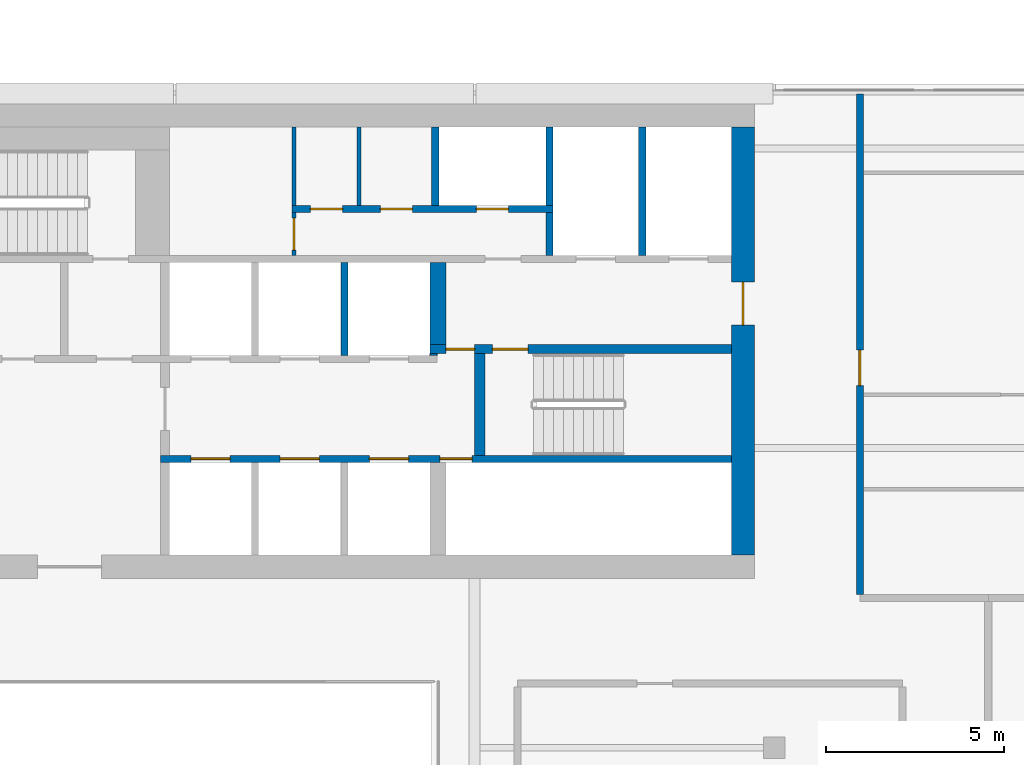
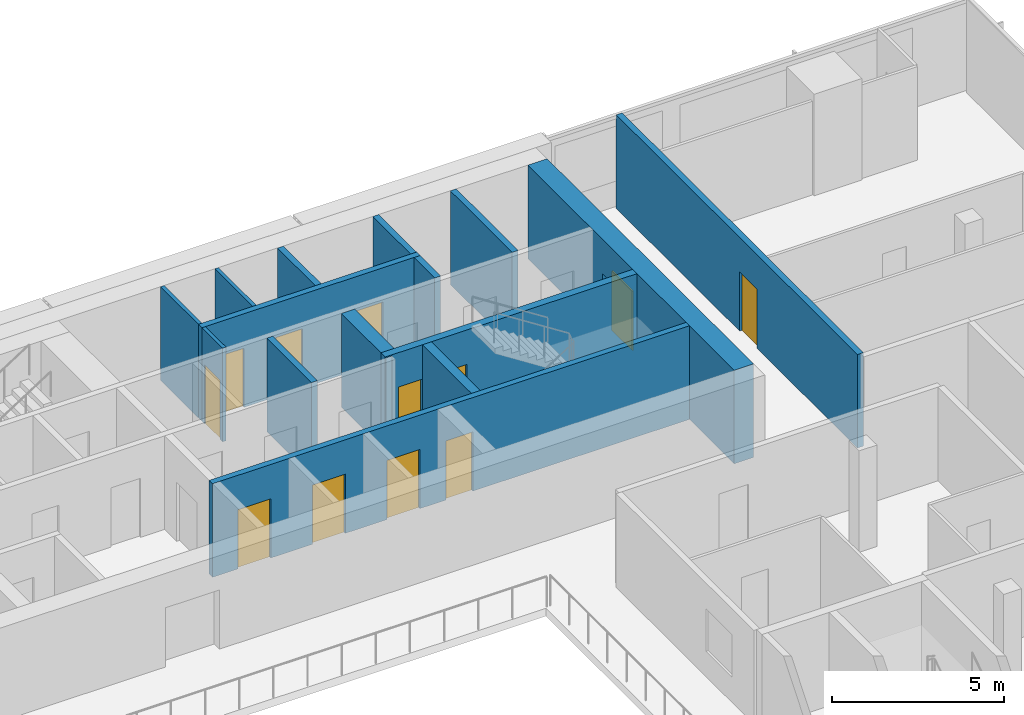
# One storey, part 22 of 27: 16 walls, 12 doors, 12 openings.
"""IFC4 building model written with IfcOpenShell, lengths in metres."""

from ifc_helpers import new_model, si_unit, direction, frame, frame_2d, origin, place, context, subcontext, project, spatial, rectangle, extrude, material, layer, layer_set, type_object, element, fill, save


model = new_model("IFC4")

# Units and contexts
model_context = context("Model", 3, precision=1e-05, world=origin(), true_north=direction((0.0, 1.0)))
body_context = subcontext(model_context, "Body", "Model", "MODEL_VIEW")
ifc_project = project(units=[si_unit("LENGTHUNIT", "METRE"), si_unit("AREAUNIT", "SQUARE_METRE"), si_unit("VOLUMEUNIT", "CUBIC_METRE"), si_unit("PLANEANGLEUNIT", "RADIAN"), si_unit("MASSUNIT", "GRAM", prefix="KILO")], contexts=[model_context])

# Site, building, storey
site_placement = place(None, origin())
site = spatial("IfcSite", under=ifc_project, at=site_placement, CompositionType="ELEMENT")
building_placement = place(site_placement, origin())
building = spatial("IfcBuilding", under=site, at=building_placement, Name="Saffron Gate Tower", CompositionType="ELEMENT")
storey_placement = place(building_placement, frame((0.0, 0.0, 234.300048828125)))
storey = spatial("IfcBuildingStorey", under=building, at=storey_placement, Name="L57", CompositionType="ELEMENT", Elevation=234.300048828125)

# Wall, openings, doors
ifc_material_1 = material(Name="Concrete C60", Category="concrete")
ifc_layer_1 = layer(ifc_material_1, 0.25)
ifc_layer_set_1 = layer_set([ifc_layer_1], Name="CW14 RC core wall 250 C60")
wall_type_1 = type_object("IfcWallType", Name="CW14 RC core wall 250 C60", PredefinedType="SOLIDWALL", material=ifc_layer_set_1)
wall_1_placement = place(storey_placement, frame((98.949951171875, 68.175048828125, 0.0), z_axis=(0.0, 0.0, 1.0), x_axis=(1.0, 0.0, 0.0)))
wall_1 = element("IfcWall", 1, at=wall_1_placement, inside=storey, type_object=wall_type_1, Name="Wall CW14-L57-29", PredefinedType="SOLIDWALL", context=body_context, shape_type="SweptSolid", body=[
    extrude(rectangle(XDim=8.449951171875, YDim=0.25, at=frame_2d((4.22509765625, 0.0))), origin(), (0.0, 0.0, 1.0), 3.320068359375),
])
opening_1_placement = place(wall_1_placement, frame((0.449951171875, 0.0, 0.0)))
opening_1 = element("IfcOpeningElement", 2, at=opening_1_placement, cuts=wall_1, Name="Opening CR-05", PredefinedType="OPENING", context=body_context, shape_type="SweptSolid", body=[
    extrude(rectangle(XDim=0.800048828125, YDim=2.10009765625, at=frame_2d((0.39990234375, 1.050048828125))), frame((0.0, 0.135009765625, 0.0), z_axis=(0.0, -1.0, 0.0), x_axis=(1.0, 0.0, 0.0)), (0.0, 0.0, 1.0), 0.27001953125),
])
opening_2_placement = place(wall_1_placement, frame((1.75, 0.0, 0.0)))
opening_2 = element("IfcOpeningElement", 3, at=opening_2_placement, cuts=wall_1, Name="Opening CR-16", PredefinedType="OPENING", context=body_context, shape_type="SweptSolid", body=[
    extrude(rectangle(XDim=1.0, YDim=2.10009765625, at=frame_2d((0.5, 1.050048828125))), frame((0.0, 0.135009765625, 0.0), z_axis=(0.0, -1.0, 0.0), x_axis=(1.0, 0.0, 0.0)), (0.0, 0.0, 1.0), 0.27001953125),
])
ifc_material_2 = material(Name="Steel fire door set", Category="steel")
door_type_1 = type_object("IfcDoorType", Name="CD5 Stair door 1000x2100 EI 120", OperationType="NOTDEFINED", PredefinedType="DOOR", material=ifc_material_2)
door_1_placement = place(opening_2_placement, origin())
door_1 = element("IfcDoor", 4, at=door_1_placement, inside=storey, type_object=door_type_1, Name="DOOR CR-16", OperationType="SINGLE_SWING_RIGHT", OverallHeight=2.10009765625, OverallWidth=1.0, PredefinedType="DOOR", context=body_context, shape_type="SweptSolid", body=[
    extrude(rectangle(XDim=1.0, YDim=2.10009765625, at=frame_2d((0.5, 1.050048828125))), frame((0.0, 0.02490234375, 0.0), z_axis=(0.0, -1.0, 0.0), x_axis=(1.0, 0.0, 0.0)), (0.0, 0.0, 1.0), 0.050048828125),
])
fill(opening_2, door_1)
door_type_2 = type_object("IfcDoorType", Name="CD6 Lobby door 800x2100 EI 120", OperationType="NOTDEFINED", PredefinedType="DOOR", material=ifc_material_2)
door_2_placement = place(opening_1_placement, origin())
door_2 = element("IfcDoor", 5, at=door_2_placement, inside=storey, type_object=door_type_2, Name="DOOR CR-05", OperationType="SINGLE_SWING_LEFT", OverallHeight=2.10009765625, OverallWidth=0.800048828125, PredefinedType="DOOR", context=body_context, shape_type="SweptSolid", body=[
    extrude(rectangle(XDim=0.800048828125, YDim=2.10009765625, at=frame_2d((0.39990234375, 1.050048828125))), frame((0.0, 0.02490234375, 0.0), z_axis=(0.0, -1.0, 0.0), x_axis=(1.0, 0.0, 0.0)), (0.0, 0.0, 1.0), 0.050048828125),
])
fill(opening_1, door_2)

ifc_layer_2 = layer(ifc_material_1, 0.199951171875)
ifc_layer_set_2 = layer_set([ifc_layer_2], Name="CW15 RC core wall 200 C60")
wall_type_2 = type_object("IfcWallType", Name="CW15 RC core wall 200 C60", PredefinedType="SOLIDWALL", material=ifc_layer_set_2)
wall_2_placement = place(storey_placement, frame((91.39990234375, 65.10009765625, 0.0), z_axis=(0.0, 0.0, 1.0), x_axis=(1.0, 0.0, 0.0)))
wall_2 = element("IfcWall", 6, at=wall_2_placement, inside=storey, type_object=wall_type_2, Name="Wall CW15-L57-14", PredefinedType="SOLIDWALL", context=body_context, shape_type="SweptSolid", body=[
    extrude(rectangle(XDim=16.0, YDim=0.199951171875, at=frame_2d((8.0, 0.0))), origin(), (0.0, 0.0, 1.0), 3.320068359375),
])
opening_3_placement = place(wall_2_placement, frame((0.85009765625, 0.0, 0.0)))
opening_3 = element("IfcOpeningElement", 7, at=opening_3_placement, cuts=wall_2, Name="Opening LD-HR1", PredefinedType="OPENING", context=body_context, shape_type="SweptSolid", body=[
    extrude(rectangle(XDim=1.10009765625, YDim=2.10009765625, at=frame_2d((0.550048828125, 1.050048828125))), frame((0.0, 0.10986328125, 0.0), z_axis=(0.0, -1.0, 0.0), x_axis=(1.0, 0.0, 0.0)), (0.0, 0.0, 1.0), 0.219970703125),
])
opening_4_placement = place(wall_2_placement, frame((3.35009765625, 0.0, 0.0)))
opening_4 = element("IfcOpeningElement", 8, at=opening_4_placement, cuts=wall_2, Name="Opening LD-HR2", PredefinedType="OPENING", context=body_context, shape_type="SweptSolid", body=[
    extrude(rectangle(XDim=1.10009765625, YDim=2.10009765625, at=frame_2d((0.550048828125, 1.050048828125))), frame((0.0, 0.10986328125, 0.0), z_axis=(0.0, -1.0, 0.0), x_axis=(1.0, 0.0, 0.0)), (0.0, 0.0, 1.0), 0.219970703125),
])
opening_5_placement = place(wall_2_placement, frame((5.85009765625, 0.0, 0.0)))
opening_5 = element("IfcOpeningElement", 9, at=opening_5_placement, cuts=wall_2, Name="Opening LD-HR3", PredefinedType="OPENING", context=body_context, shape_type="SweptSolid", body=[
    extrude(rectangle(XDim=1.10009765625, YDim=2.10009765625, at=frame_2d((0.550048828125, 1.050048828125))), frame((0.0, 0.10986328125, 0.0), z_axis=(0.0, -1.0, 0.0), x_axis=(1.0, 0.0, 0.0)), (0.0, 0.0, 1.0), 0.219970703125),
])
opening_6_placement = place(wall_2_placement, frame((7.830078125, 0.0, 0.0)))
opening_6 = element("IfcOpeningElement", 10, at=opening_6_placement, cuts=wall_2, Name="Opening CR-48", PredefinedType="OPENING", context=body_context, shape_type="SweptSolid", body=[
    extrude(rectangle(XDim=0.89990234375, YDim=2.10009765625, at=frame_2d((0.449951171875, 1.050048828125))), frame((0.0, 0.10986328125, 0.0), z_axis=(0.0, -1.0, 0.0), x_axis=(1.0, 0.0, 0.0)), (0.0, 0.0, 1.0), 0.219970703125),
])
door_type_3 = type_object("IfcDoorType", Name="CD2 Riser door 900x2100 EI 60", OperationType="NOTDEFINED", PredefinedType="DOOR", material=ifc_material_2)
door_3_placement = place(opening_6_placement, origin())
door_3 = element("IfcDoor", 11, at=door_3_placement, inside=storey, type_object=door_type_3, Name="DOOR CR-48", OperationType="SINGLE_SWING_RIGHT", OverallHeight=2.10009765625, OverallWidth=0.89990234375, PredefinedType="DOOR", context=body_context, shape_type="SweptSolid", body=[
    extrude(rectangle(XDim=0.89990234375, YDim=2.10009765625, at=frame_2d((0.449951171875, 1.050048828125))), frame((0.0, 0.02490234375, 0.0), z_axis=(0.0, -1.0, 0.0), x_axis=(1.0, 0.0, 0.0)), (0.0, 0.0, 1.0), 0.050048828125),
])
fill(opening_6, door_3)
ifc_material_3 = material(Name="Stainless steel landing door", Category="steel")
door_type_4 = type_object("IfcDoorType", Name="LD Lift landing door 1100x2100 EI 120", OperationType="SLIDING_TO_LEFT", PredefinedType="DOOR", material=ifc_material_3)
door_4_placement = place(opening_3_placement, origin())
door_4 = element("IfcDoor", 12, at=door_4_placement, inside=storey, type_object=door_type_4, Name="LANDING DOOR LD-HR1", OperationType="SLIDING_TO_LEFT", OverallHeight=2.10009765625, OverallWidth=1.10009765625, PredefinedType="DOOR", context=body_context, shape_type="SweptSolid", body=[
    extrude(rectangle(XDim=1.10009765625, YDim=2.10009765625, at=frame_2d((0.550048828125, 1.050048828125))), frame((0.0, 0.02490234375, 0.0), z_axis=(0.0, -1.0, 0.0), x_axis=(1.0, 0.0, 0.0)), (0.0, 0.0, 1.0), 0.050048828125),
])
fill(opening_3, door_4)
door_5_placement = place(opening_4_placement, origin())
door_5 = element("IfcDoor", 13, at=door_5_placement, inside=storey, type_object=door_type_4, Name="LANDING DOOR LD-HR2", OperationType="SLIDING_TO_LEFT", OverallHeight=2.10009765625, OverallWidth=1.10009765625, PredefinedType="DOOR", context=body_context, shape_type="SweptSolid", body=[
    extrude(rectangle(XDim=1.10009765625, YDim=2.10009765625, at=frame_2d((0.550048828125, 1.050048828125))), frame((0.0, 0.02490234375, 0.0), z_axis=(0.0, -1.0, 0.0), x_axis=(1.0, 0.0, 0.0)), (0.0, 0.0, 1.0), 0.050048828125),
])
fill(opening_4, door_5)
door_6_placement = place(opening_5_placement, origin())
door_6 = element("IfcDoor", 14, at=door_6_placement, inside=storey, type_object=door_type_4, Name="LANDING DOOR LD-HR3", OperationType="SLIDING_TO_LEFT", OverallHeight=2.10009765625, OverallWidth=1.10009765625, PredefinedType="DOOR", context=body_context, shape_type="SweptSolid", body=[
    extrude(rectangle(XDim=1.10009765625, YDim=2.10009765625, at=frame_2d((0.550048828125, 1.050048828125))), frame((0.0, 0.02490234375, 0.0), z_axis=(0.0, -1.0, 0.0), x_axis=(1.0, 0.0, 0.0)), (0.0, 0.0, 1.0), 0.050048828125),
])
fill(opening_5, door_6)

# Walls
wall_3_placement = place(storey_placement, frame((96.550048828125, 68.0, 0.0), z_axis=(0.0, 0.0, 1.0), x_axis=(0.0, 1.0, 0.0)))
element("IfcWall", 15, at=wall_3_placement, inside=storey, type_object=wall_type_2, Name="Wall CW15-L57-26", PredefinedType="SOLIDWALL", context=body_context, shape_type="SweptSolid", body=[
    extrude(rectangle(XDim=2.60009765625, YDim=0.199951171875, at=frame_2d((1.300048828125, 0.0))), origin(), (0.0, 0.0, 1.0), 3.320068359375),
])
wall_4_placement = place(storey_placement, frame((102.300048828125, 70.800048828125, 0.0), z_axis=(0.0, 0.0, 1.0), x_axis=(0.0, 1.0, 0.0)))
element("IfcWall", 16, at=wall_4_placement, inside=storey, type_object=wall_type_2, Name="Wall CW15-L57-39", PredefinedType="SOLIDWALL", context=body_context, shape_type="SweptSolid", body=[
    extrude(rectangle(XDim=1.199951171875, YDim=0.199951171875, at=frame_2d((0.60009765625, 0.0))), origin(), (0.0, 0.0, 1.0), 3.320068359375),
])
wall_5_placement = place(storey_placement, frame((104.89990234375, 70.800048828125, 0.0), z_axis=(0.0, 0.0, 1.0), x_axis=(0.0, 1.0, 0.0)))
element("IfcWall", 17, at=wall_5_placement, inside=storey, type_object=wall_type_2, Name="Wall CW15-L57-40", PredefinedType="SOLIDWALL", context=body_context, shape_type="SweptSolid", body=[
    extrude(rectangle(XDim=3.599853515625, YDim=0.199951171875, at=frame_2d((1.7998046875, 0.0))), origin(), (0.0, 0.0, 1.0), 3.320068359375),
])

# Wall, openings, doors
wall_6_placement = place(storey_placement, frame((95.080078125, 72.10009765625, 0.0), z_axis=(0.0, 0.0, 1.0), x_axis=(1.0, 0.0, 0.0)))
wall_6 = element("IfcWall", 18, at=wall_6_placement, inside=storey, type_object=wall_type_2, Name="Wall CW15-L57-42", PredefinedType="SOLIDWALL", context=body_context, shape_type="SweptSolid", body=[
    extrude(rectangle(XDim=7.31982421875, YDim=0.199951171875, at=frame_2d((3.659912109375, 0.0))), origin(), (0.0, 0.0, 1.0), 3.320068359375),
])
opening_7_placement = place(wall_6_placement, frame((0.52001953125, 0.0, 0.0)))
opening_7 = element("IfcOpeningElement", 19, at=opening_7_placement, cuts=wall_6, Name="Opening CR-50", PredefinedType="OPENING", context=body_context, shape_type="SweptSolid", body=[
    extrude(rectangle(XDim=0.89990234375, YDim=2.10009765625, at=frame_2d((0.449951171875, 1.050048828125))), frame((0.0, 0.10986328125, 0.0), z_axis=(0.0, -1.0, 0.0), x_axis=(1.0, 0.0, 0.0)), (0.0, 0.0, 1.0), 0.219970703125),
])
opening_8_placement = place(wall_6_placement, frame((2.47998046875, 0.0, 0.0)))
opening_8 = element("IfcOpeningElement", 20, at=opening_8_placement, cuts=wall_6, Name="Opening CR-53", PredefinedType="OPENING", context=body_context, shape_type="SweptSolid", body=[
    extrude(rectangle(XDim=0.89990234375, YDim=2.10009765625, at=frame_2d((0.449951171875, 1.050048828125))), frame((0.0, 0.10986328125, 0.0), z_axis=(0.0, -1.0, 0.0), x_axis=(1.0, 0.0, 0.0)), (0.0, 0.0, 1.0), 0.219970703125),
])
opening_9_placement = place(wall_6_placement, frame((5.169921875, 0.0, 0.0)))
opening_9 = element("IfcOpeningElement", 21, at=opening_9_placement, cuts=wall_6, Name="Opening CR-70", PredefinedType="OPENING", context=body_context, shape_type="SweptSolid", body=[
    extrude(rectangle(XDim=0.89990234375, YDim=2.10009765625, at=frame_2d((0.449951171875, 1.050048828125))), frame((0.0, 0.10986328125, 0.0), z_axis=(0.0, -1.0, 0.0), x_axis=(1.0, 0.0, 0.0)), (0.0, 0.0, 1.0), 0.219970703125),
])
door_7_placement = place(opening_9_placement, origin())
door_7 = element("IfcDoor", 22, at=door_7_placement, inside=storey, type_object=door_type_3, Name="DOOR CR-70", OperationType="SINGLE_SWING_LEFT", OverallHeight=2.10009765625, OverallWidth=0.89990234375, PredefinedType="DOOR", context=body_context, shape_type="SweptSolid", body=[
    extrude(rectangle(XDim=0.89990234375, YDim=2.10009765625, at=frame_2d((0.449951171875, 1.050048828125))), frame((0.0, 0.02490234375, 0.0), z_axis=(0.0, -1.0, 0.0), x_axis=(1.0, 0.0, 0.0)), (0.0, 0.0, 1.0), 0.050048828125),
])
fill(opening_9, door_7)
door_type_5 = type_object("IfcDoorType", Name="CD9 Room door 900x2100 EI 60", OperationType="NOTDEFINED", PredefinedType="DOOR", material=ifc_material_2)
door_8_placement = place(opening_7_placement, origin())
door_8 = element("IfcDoor", 23, at=door_8_placement, inside=storey, type_object=door_type_5, Name="DOOR CR-50", OperationType="SINGLE_SWING_LEFT", OverallHeight=2.10009765625, OverallWidth=0.89990234375, PredefinedType="DOOR", context=body_context, shape_type="SweptSolid", body=[
    extrude(rectangle(XDim=0.89990234375, YDim=2.10009765625, at=frame_2d((0.449951171875, 1.050048828125))), frame((0.0, 0.02490234375, 0.0), z_axis=(0.0, -1.0, 0.0), x_axis=(1.0, 0.0, 0.0)), (0.0, 0.0, 1.0), 0.050048828125),
])
fill(opening_7, door_8)
door_9_placement = place(opening_8_placement, origin())
door_9 = element("IfcDoor", 24, at=door_9_placement, inside=storey, type_object=door_type_5, Name="DOOR CR-53", OperationType="SINGLE_SWING_LEFT", OverallHeight=2.10009765625, OverallWidth=0.89990234375, PredefinedType="DOOR", context=body_context, shape_type="SweptSolid", body=[
    extrude(rectangle(XDim=0.89990234375, YDim=2.10009765625, at=frame_2d((0.449951171875, 1.050048828125))), frame((0.0, 0.02490234375, 0.0), z_axis=(0.0, -1.0, 0.0), x_axis=(1.0, 0.0, 0.0)), (0.0, 0.0, 1.0), 0.050048828125),
])
fill(opening_8, door_9)

# Walls
for number, where, z_axis, x_axis, name in (
    (25, (99.10009765625, 72.199951171875, 0.0), (0.0, 0.0, 1.0), (0.0, 1.0, 0.0), "Wall CW15-L57-49"),
    (26, (102.300048828125, 72.199951171875, 0.0), (0.0, 0.0, 1.0), (0.0, 1.0, 0.0), "Wall CW15-L57-50"),
):
    element("IfcWall", number, at=place(storey_placement, frame(where, z_axis=z_axis, x_axis=x_axis)), inside=storey, type_object=wall_type_2, Name=name, PredefinedType="SOLIDWALL", context=body_context, shape_type="SweptSolid", body=[
        extrude(rectangle(XDim=2.199951171875, YDim=0.199951171875, at=frame_2d((1.10009765625, 0.0))), origin(), (0.0, 0.0, 1.0), 3.320068359375),
    ])
ifc_layer_3 = layer(ifc_material_1, 0.449951171875)
ifc_layer_set_3 = layer_set([ifc_layer_3], Name="CW16 RC core wall 450 C60")
wall_type_3 = type_object("IfcWallType", Name="CW16 RC core wall 450 C60", PredefinedType="SOLIDWALL", material=ifc_layer_set_3)
wall_7_placement = place(storey_placement, frame((99.175048828125, 68.300048828125, 0.0), z_axis=(0.0, 0.0, 1.0), x_axis=(0.0, 1.0, 0.0)))
element("IfcWall", 27, at=wall_7_placement, inside=storey, type_object=wall_type_3, Name="Wall CW16-L57-31", PredefinedType="SOLIDWALL", context=body_context, shape_type="SweptSolid", body=[
    extrude(rectangle(XDim=2.300048828125, YDim=0.449951171875, at=frame_2d((1.14990234375, 0.0))), origin(), (0.0, 0.0, 1.0), 3.320068359375),
])
ifc_layer_4 = layer(ifc_material_1, 0.300048828125)
ifc_layer_set_4 = layer_set([ifc_layer_4], Name="CW17 RC core wall 300 C60")
wall_type_4 = type_object("IfcWallType", Name="CW17 RC core wall 300 C60", PredefinedType="SOLIDWALL", material=ifc_layer_set_4)
wall_8_placement = place(storey_placement, frame((100.35009765625, 65.199951171875, 0.0), z_axis=(0.0, 0.0, 1.0), x_axis=(0.0, 1.0, 0.0)))
element("IfcWall", 28, at=wall_8_placement, inside=storey, type_object=wall_type_4, Name="Wall CW17-L57-18", PredefinedType="SOLIDWALL", context=body_context, shape_type="SweptSolid", body=[
    extrude(rectangle(XDim=2.85009765625, YDim=0.300048828125, at=frame_2d((1.425048828125, 0.0))), origin(), (0.0, 0.0, 1.0), 3.320068359375),
])
ifc_layer_5 = layer(ifc_material_1, 0.050048828125)
ifc_layer_set_5 = layer_set([ifc_layer_5], Name="CW18 RC core wall 50 C60")
wall_type_5 = type_object("IfcWallType", Name="CW18 RC core wall 50 C60", PredefinedType="SOLIDWALL", material=ifc_layer_set_5)
wall_9_placement = place(storey_placement, frame((98.949951171875, 68.02490234375, 0.0), z_axis=(0.0, 0.0, 1.0), x_axis=(1.0, 0.0, 0.0)))
element("IfcWall", 29, at=wall_9_placement, inside=storey, type_object=wall_type_5, Name="Wall CW18-L57-27", PredefinedType="SOLIDWALL", context=body_context, shape_type="SweptSolid", body=[
    extrude(rectangle(XDim=0.199951171875, YDim=0.050048828125, at=frame_2d((0.10009765625, 0.0))), origin(), (0.0, 0.0, 1.0), 3.320068359375),
])

# Wall, opening, door
ifc_layer_6 = layer(ifc_material_1, 0.64990234375)
ifc_layer_set_6 = layer_set([ifc_layer_6], Name="CW20 RC core wall 650 C60")
wall_type_6 = type_object("IfcWallType", Name="CW20 RC core wall 650 C60", PredefinedType="SOLIDWALL", material=ifc_layer_set_6)
wall_10_placement = place(storey_placement, frame((107.72509765625, 62.39990234375, 0.0), z_axis=(0.0, 0.0, 1.0), x_axis=(0.0, 1.0, 0.0)))
wall_10 = element("IfcWall", 30, at=wall_10_placement, inside=storey, type_object=wall_type_6, Name="Wall CW20-L57-4", PredefinedType="SOLIDWALL", context=body_context, shape_type="SweptSolid", body=[
    extrude(rectangle(XDim=12.0, YDim=0.64990234375, at=frame_2d((6.0, 0.0))), origin(), (0.0, 0.0, 1.0), 3.320068359375),
])
opening_10_placement = place(wall_10_placement, frame((6.449951171875, 0.0, 0.0)))
opening_10 = element("IfcOpeningElement", 31, at=opening_10_placement, cuts=wall_10, Name="Opening CR-08", PredefinedType="OPENING", context=body_context, shape_type="SweptSolid", body=[
    extrude(rectangle(XDim=1.199951171875, YDim=2.10009765625, at=frame_2d((0.60009765625, 1.050048828125))), frame((0.0, 0.3349609375, 0.0), z_axis=(0.0, -1.0, 0.0), x_axis=(1.0, 0.0, 0.0)), (0.0, 0.0, 1.0), 0.669921875),
])
door_type_6 = type_object("IfcDoorType", Name="CD7 Core entrance door 1200x2100 EI 120", OperationType="NOTDEFINED", PredefinedType="DOOR", material=ifc_material_2)
door_10_placement = place(opening_10_placement, origin())
door_10 = element("IfcDoor", 32, at=door_10_placement, inside=storey, type_object=door_type_6, Name="DOOR CR-08", OperationType="SINGLE_SWING_RIGHT", OverallHeight=2.10009765625, OverallWidth=1.199951171875, PredefinedType="DOOR", context=body_context, shape_type="SweptSolid", body=[
    extrude(rectangle(XDim=1.199951171875, YDim=2.10009765625, at=frame_2d((0.60009765625, 1.050048828125))), frame((0.0, 0.02490234375, 0.0), z_axis=(0.0, -1.0, 0.0), x_axis=(1.0, 0.0, 0.0)), (0.0, 0.0, 1.0), 0.050048828125),
])
fill(opening_10, door_10)

ifc_material_4 = material(Name="Gypsum board partition on steel studs", Category="steel")
ifc_layer_7 = layer(ifc_material_4, 0.1201171875)
ifc_layer_set_7 = layer_set([ifc_layer_7], Name="CW8 Core partition 120")
wall_type_7 = type_object("IfcWallType", Name="CW8 Core partition 120", PredefinedType="PARTITIONING", material=ifc_layer_set_7)
wall_11_placement = place(storey_placement, frame((95.139892578125, 70.800048828125, 0.0), z_axis=(0.0, 0.0, 1.0), x_axis=(0.0, 1.0, 0.0)))
wall_11 = element("IfcWall", 33, at=wall_11_placement, inside=storey, type_object=wall_type_7, Name="Wall CW8-L57-38", PredefinedType="PARTITIONING", context=body_context, shape_type="SweptSolid", body=[
    extrude(rectangle(XDim=1.199951171875, YDim=0.1201171875, at=frame_2d((0.60009765625, 0.0))), origin(), (0.0, 0.0, 1.0), 3.320068359375),
])
opening_11_placement = place(wall_11_placement, frame((0.14990234375, 0.0, 0.0)))
opening_11 = element("IfcOpeningElement", 34, at=opening_11_placement, cuts=wall_11, Name="Opening CR-54", PredefinedType="OPENING", context=body_context, shape_type="SweptSolid", body=[
    extrude(rectangle(XDim=0.89990234375, YDim=2.10009765625, at=frame_2d((0.449951171875, 1.050048828125))), frame((0.0, 0.070068359375, 0.0), z_axis=(0.0, -1.0, 0.0), x_axis=(1.0, 0.0, 0.0)), (0.0, 0.0, 1.0), 0.14013671875),
])
door_11_placement = place(opening_11_placement, origin())
door_11 = element("IfcDoor", 35, at=door_11_placement, inside=storey, type_object=door_type_5, Name="DOOR CR-54", OperationType="SINGLE_SWING_LEFT", OverallHeight=2.10009765625, OverallWidth=0.89990234375, PredefinedType="DOOR", context=body_context, shape_type="SweptSolid", body=[
    extrude(rectangle(XDim=0.89990234375, YDim=2.10009765625, at=frame_2d((0.449951171875, 1.050048828125))), frame((0.0, 0.02490234375, 0.0), z_axis=(0.0, -1.0, 0.0), x_axis=(1.0, 0.0, 0.0)), (0.0, 0.0, 1.0), 0.050048828125),
])
fill(opening_11, door_11)

# Walls
for number, where, z_axis, x_axis, name in (
    (36, (95.139892578125, 72.199951171875, 0.0), (0.0, 0.0, 1.0), (0.0, 1.0, 0.0), "Wall CW8-L57-47"),
    (37, (96.9599609375, 72.199951171875, 0.0), (0.0, 0.0, 1.0), (0.0, 1.0, 0.0), "Wall CW8-L57-48"),
):
    element("IfcWall", number, at=place(storey_placement, frame(where, z_axis=z_axis, x_axis=x_axis)), inside=storey, type_object=wall_type_7, Name=name, PredefinedType="PARTITIONING", context=body_context, shape_type="SweptSolid", body=[
        extrude(rectangle(XDim=2.199951171875, YDim=0.1201171875, at=frame_2d((1.10009765625, 0.0))), origin(), (0.0, 0.0, 1.0), 3.320068359375),
    ])

# Wall, opening, door
ifc_material_5 = material(Name="Clay brick masonry, rendered", Category="masonry")
ifc_layer_8 = layer(ifc_material_5, 0.199951171875)
ifc_layer_set_8 = layer_set([ifc_layer_8], Name="PW3 Corridor wall 200")
wall_type_8 = type_object("IfcWallType", Name="PW3 Corridor wall 200", PredefinedType="PARTITIONING", material=ifc_layer_set_8)
wall_12_placement = place(storey_placement, frame((111.0, 75.320068359375, 0.0), z_axis=(0.0, 0.0, 1.0), x_axis=(0.0, -1.0, 0.0)))
wall_12 = element("IfcWall", 38, at=wall_12_placement, inside=storey, type_object=wall_type_8, Name="Wall D3-102", PredefinedType="PARTITIONING", context=body_context, shape_type="SweptSolid", body=[
    extrude(rectangle(XDim=14.02001953125, YDim=0.199951171875, at=frame_2d((7.010009765625, 0.0))), origin(), (0.0, 0.0, 1.0), 3.320068359375),
])
opening_12_placement = place(wall_12_placement, frame((7.169921875, 0.0, 0.0)))
opening_12 = element("IfcOpeningElement", 39, at=opening_12_placement, cuts=wall_12, Name="Opening D3-7", PredefinedType="OPENING", context=body_context, shape_type="SweptSolid", body=[
    extrude(rectangle(XDim=1.0, YDim=2.10009765625, at=frame_2d((0.5, 1.050048828125))), frame((0.0, 0.10986328125, 0.0), z_axis=(0.0, -1.0, 0.0), x_axis=(1.0, 0.0, 0.0)), (0.0, 0.0, 1.0), 0.219970703125),
])
ifc_material_6 = material(Name="Timber fire door set", Category="wood")
door_type_7 = type_object("IfcDoorType", Name="FD1 Flat entry door 1000x2100", OperationType="NOTDEFINED", PredefinedType="DOOR", material=ifc_material_6)
door_12_placement = place(opening_12_placement, origin())
door_12 = element("IfcDoor", 40, at=door_12_placement, inside=storey, type_object=door_type_7, Name="Door D3-7", OperationType="SINGLE_SWING_RIGHT", OverallHeight=2.10009765625, OverallWidth=1.0, PredefinedType="DOOR", context=body_context, shape_type="SweptSolid", body=[
    extrude(rectangle(XDim=1.0, YDim=2.10009765625, at=frame_2d((0.5, 1.050048828125))), frame((0.0, 0.02490234375, 0.0), z_axis=(0.0, -1.0, 0.0), x_axis=(1.0, 0.0, 0.0)), (0.0, 0.0, 1.0), 0.050048828125),
])
fill(opening_12, door_12)

save(model, "model.ifc")
